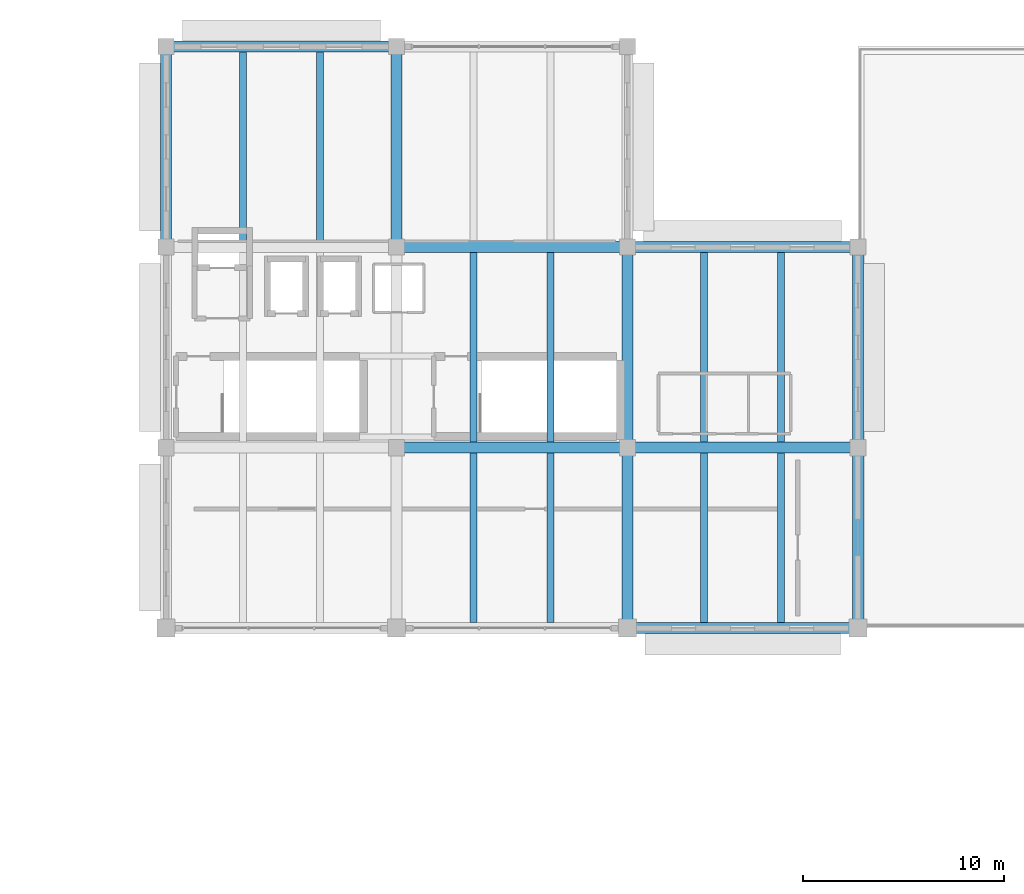
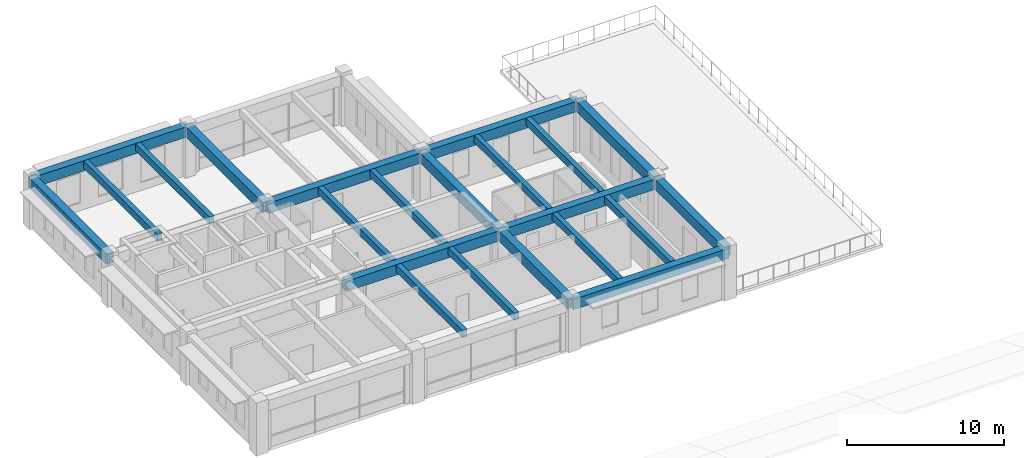
# One storey, part 7 of 33: 22 beams.
"""IFC4 building model written with IfcOpenShell, lengths in metres."""

from ifc_helpers import new_model, si_unit, direction, frame, origin, origin_2d, place, context, subcontext, project, spatial, rectangle, extrude, material, material_profile, profile_set, type_object, element, save


model = new_model("IFC4")

# Units and contexts
model_context = context("Model", 3, precision=1e-05, world=origin(), true_north=direction((0.0, 1.0)))
body_context = subcontext(model_context, "Body", "Model", "MODEL_VIEW")
ifc_project = project(units=[si_unit("LENGTHUNIT", "METRE"), si_unit("AREAUNIT", "SQUARE_METRE"), si_unit("VOLUMEUNIT", "CUBIC_METRE"), si_unit("PLANEANGLEUNIT", "RADIAN"), si_unit("MASSUNIT", "GRAM", prefix="KILO")], contexts=[model_context])

# Site, building, storey
site_placement = place(None, origin())
site = spatial("IfcSite", under=ifc_project, at=site_placement, CompositionType="ELEMENT")
building_placement = place(site_placement, origin())
building = spatial("IfcBuilding", under=site, at=building_placement, Name="Ologun Quay Terminus", CompositionType="ELEMENT")
storey_placement = place(building_placement, frame((0.0, 0.0, 18.300048828125)))
storey = spatial("IfcBuildingStorey", under=building, at=storey_placement, Name="L04", CompositionType="ELEMENT", Elevation=18.300048828125)

# Beams
ifc_material_1 = material(Name="Concrete C40/50", Category="concrete")
ifc_material_profile_1 = material_profile(ifc_material_1, rectangle(XDim=0.550048828125, YDim=0.800048828125, at=origin_2d()), Name="RC 550x800")
ifc_profile_set_1 = profile_set([ifc_material_profile_1], Name="Concrete C40/50")
beam_type_1 = type_object("IfcBeamType", Name="Courtyard Wing Primary Girder 550x800", PredefinedType="BEAM", material=ifc_profile_set_1)
for number, where, z_axis, x_axis, name in (
    (1, (46.0, 85.800048828125, 3.5), (1.0, 0.0, 0.0), (0.0, 1.0, 0.0), "B4 Beam 5/G2 L04"),
    (2, (34.5, 94.800048828125, 3.5), (1.0, 0.0, 0.0), (0.0, 1.0, 0.0), "B4 Beam 4/H L04"),
    (3, (46.0, 94.800048828125, 3.5), (1.0, 0.0, 0.0), (0.0, 1.0, 0.0), "B4 Beam 5/H L04"),
    (4, (34.5, 104.800048828125, 3.5), (1.0, 0.0, 0.0), (0.0, 1.0, 0.0), "B4 Beam 4/J L04"),
    (5, (46.0, 104.800048828125, 3.5), (1.0, 0.0, 0.0), (0.0, 1.0, 0.0), "B4 Beam 5/J L04"),
    (6, (23.0, 114.800048828125, 3.5), (1.0, 0.0, 0.0), (0.0, 1.0, 0.0), "B4 Beam 3/K L04"),
):
    element("IfcBeam", number, at=place(storey_placement, frame(where, z_axis=z_axis, x_axis=x_axis)), inside=storey, type_object=beam_type_1, Name=name, PredefinedType="BEAM", context=body_context, shape_type="SweptSolid", body=[
        extrude(rectangle(XDim=0.550048828125, YDim=0.800048828125, at=origin_2d()), origin(), (0.0, 0.0, 1.0), 11.5),
    ])
for number, where, z_axis, x_axis, name in (
    (7, (23.0, 104.800048828125, 3.5), (0.0, 1.0, 0.0), (-1.0, 0.0, 0.0), "B4 Beam 3/J L04"),
    (8, (34.5, 104.800048828125, 3.5), (0.0, 1.0, 0.0), (-1.0, 0.0, 0.0), "B4 Beam 4/J L04"),
):
    element("IfcBeam", number, at=place(storey_placement, frame(where, z_axis=z_axis, x_axis=x_axis)), inside=storey, type_object=beam_type_1, Name=name, PredefinedType="BEAM", context=body_context, shape_type="SweptSolid", body=[
        extrude(rectangle(XDim=0.550048828125, YDim=0.800048828125, at=origin_2d()), origin(), (0.0, 0.0, 1.0), 10.0),
    ])
beam_1_placement = place(storey_placement, frame((46.0, 85.800048828125, 3.5), z_axis=(0.0, 1.0, 0.0), x_axis=(-1.0, 0.0, 0.0)))
element("IfcBeam", 9, at=beam_1_placement, inside=storey, type_object=beam_type_1, Name="B4 Beam 5/G2 L04", PredefinedType="BEAM", context=body_context, shape_type="SweptSolid", body=[
    extrude(rectangle(XDim=0.550048828125, YDim=0.800048828125, at=origin_2d()), origin(), (0.0, 0.0, 1.0), 9.0),
])
beam_2_placement = place(storey_placement, frame((46.0, 94.800048828125, 3.5), z_axis=(0.0, 1.0, 0.0), x_axis=(-1.0, 0.0, 0.0)))
element("IfcBeam", 10, at=beam_2_placement, inside=storey, type_object=beam_type_1, Name="B4 Beam 5/H L04", PredefinedType="BEAM", context=body_context, shape_type="SweptSolid", body=[
    extrude(rectangle(XDim=0.550048828125, YDim=0.800048828125, at=origin_2d()), origin(), (0.0, 0.0, 1.0), 10.0),
])
beam_3_placement = place(storey_placement, frame((57.5, 85.800048828125, 3.5), z_axis=(0.0, 1.0, 0.0), x_axis=(-1.0, 0.0, 0.0)))
element("IfcBeam", 11, at=beam_3_placement, inside=storey, type_object=beam_type_1, Name="B4 Beam 6/G2 L04", PredefinedType="BEAM", context=body_context, shape_type="SweptSolid", body=[
    extrude(rectangle(XDim=0.550048828125, YDim=0.800048828125, at=origin_2d()), origin(), (0.0, 0.0, 1.0), 9.0),
])
beam_4_placement = place(storey_placement, frame((57.5, 94.800048828125, 3.5), z_axis=(0.0, 1.0, 0.0), x_axis=(-1.0, 0.0, 0.0)))
element("IfcBeam", 12, at=beam_4_placement, inside=storey, type_object=beam_type_1, Name="B4 Beam 6/H L04", PredefinedType="BEAM", context=body_context, shape_type="SweptSolid", body=[
    extrude(rectangle(XDim=0.550048828125, YDim=0.800048828125, at=origin_2d()), origin(), (0.0, 0.0, 1.0), 10.0),
])
ifc_material_2 = material(Name="Concrete C40/50", Category="concrete")
ifc_material_profile_2 = material_profile(ifc_material_2, rectangle(XDim=0.35009765625, YDim=0.550048828125, at=origin_2d()), Name="RC 350x550")
ifc_profile_set_2 = profile_set([ifc_material_profile_2], Name="Concrete C40/50")
beam_type_2 = type_object("IfcBeamType", Name="Courtyard Wing Secondary Joist 350x550", PredefinedType="JOIST", material=ifc_profile_set_2)
for number, where, z_axis, x_axis, name in (
    (13, (26.833251953125, 105.074951171875, 3.625), (0.0, 1.0, 0.0), (-1.0, 0.0, 0.0), "J2 Beam 3/J L04"),
    (14, (30.666748046875, 105.074951171875, 3.625), (0.0, 1.0, 0.0), (-1.0, 0.0, 0.0), "J2 Beam 3/J L04"),
):
    element("IfcBeam", number, at=place(storey_placement, frame(where, z_axis=z_axis, x_axis=x_axis)), inside=storey, type_object=beam_type_2, Name=name, PredefinedType="JOIST", context=body_context, shape_type="SweptSolid", body=[
        extrude(rectangle(XDim=0.35009765625, YDim=0.550048828125, at=origin_2d()), origin(), (0.0, 0.0, 1.0), 9.449951171875),
    ])
for number, where, z_axis, x_axis, name in (
    (15, (38.333251953125, 86.074951171875, 3.625), (0.0, 1.0, 0.0), (-1.0, 0.0, 0.0), "J2 Beam 4/G2 L04"),
    (16, (42.166748046875, 86.074951171875, 3.625), (0.0, 1.0, 0.0), (-1.0, 0.0, 0.0), "J2 Beam 4/G2 L04"),
):
    element("IfcBeam", number, at=place(storey_placement, frame(where, z_axis=z_axis, x_axis=x_axis)), inside=storey, type_object=beam_type_2, Name=name, PredefinedType="JOIST", context=body_context, shape_type="SweptSolid", body=[
        extrude(rectangle(XDim=0.35009765625, YDim=0.550048828125, at=origin_2d()), origin(), (0.0, 0.0, 1.0), 8.449951171875),
    ])
for number, where, z_axis, x_axis, name in (
    (17, (38.333251953125, 95.074951171875, 3.625), (0.0, 1.0, 0.0), (-1.0, 0.0, 0.0), "J2 Beam 4/H L04"),
    (18, (42.166748046875, 95.074951171875, 3.625), (0.0, 1.0, 0.0), (-1.0, 0.0, 0.0), "J2 Beam 4/H L04"),
):
    element("IfcBeam", number, at=place(storey_placement, frame(where, z_axis=z_axis, x_axis=x_axis)), inside=storey, type_object=beam_type_2, Name=name, PredefinedType="JOIST", context=body_context, shape_type="SweptSolid", body=[
        extrude(rectangle(XDim=0.35009765625, YDim=0.550048828125, at=origin_2d()), origin(), (0.0, 0.0, 1.0), 9.449951171875),
    ])
for number, where, z_axis, x_axis, name in (
    (19, (49.833251953125, 86.074951171875, 3.625), (0.0, 1.0, 0.0), (-1.0, 0.0, 0.0), "J2 Beam 5/G2 L04"),
    (20, (53.666748046875, 86.074951171875, 3.625), (0.0, 1.0, 0.0), (-1.0, 0.0, 0.0), "J2 Beam 5/G2 L04"),
):
    element("IfcBeam", number, at=place(storey_placement, frame(where, z_axis=z_axis, x_axis=x_axis)), inside=storey, type_object=beam_type_2, Name=name, PredefinedType="JOIST", context=body_context, shape_type="SweptSolid", body=[
        extrude(rectangle(XDim=0.35009765625, YDim=0.550048828125, at=origin_2d()), origin(), (0.0, 0.0, 1.0), 8.449951171875),
    ])
for number, where, z_axis, x_axis, name in (
    (21, (49.833251953125, 95.074951171875, 3.625), (0.0, 1.0, 0.0), (-1.0, 0.0, 0.0), "J2 Beam 5/H L04"),
    (22, (53.666748046875, 95.074951171875, 3.625), (0.0, 1.0, 0.0), (-1.0, 0.0, 0.0), "J2 Beam 5/H L04"),
):
    element("IfcBeam", number, at=place(storey_placement, frame(where, z_axis=z_axis, x_axis=x_axis)), inside=storey, type_object=beam_type_2, Name=name, PredefinedType="JOIST", context=body_context, shape_type="SweptSolid", body=[
        extrude(rectangle(XDim=0.35009765625, YDim=0.550048828125, at=origin_2d()), origin(), (0.0, 0.0, 1.0), 9.449951171875),
    ])

save(model, "model.ifc")
